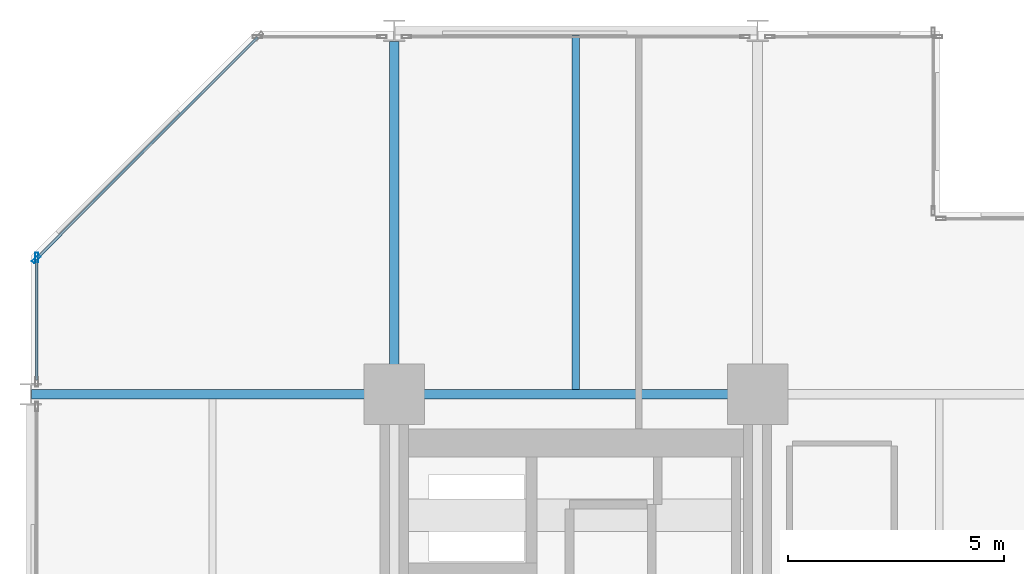
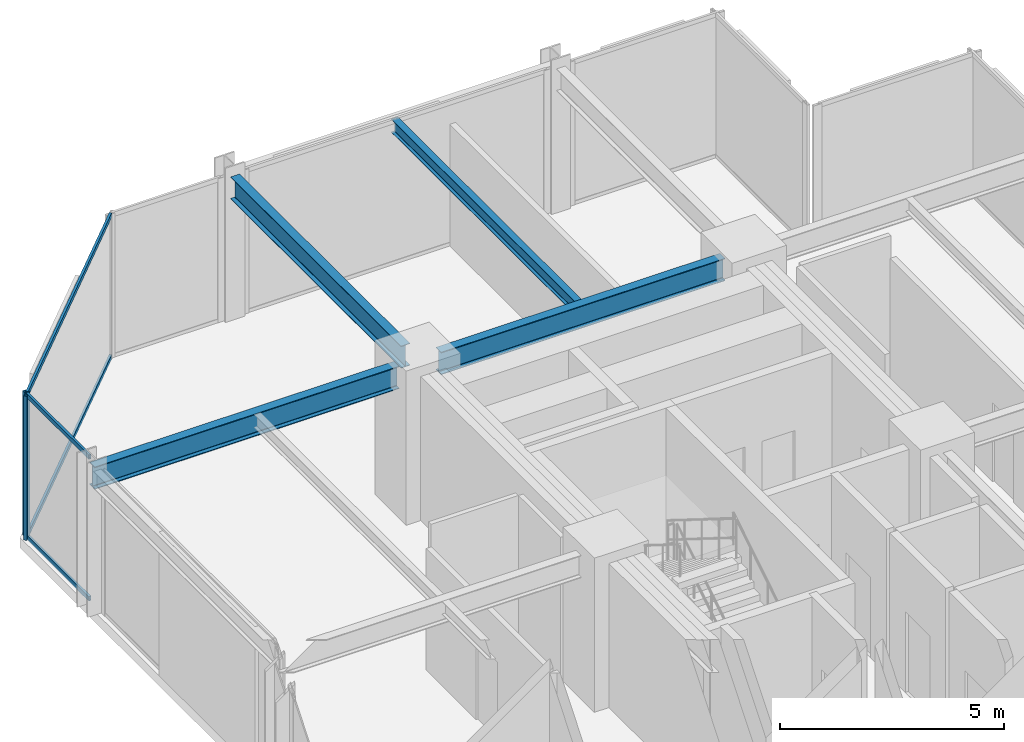
# One storey, part 15 of 25: 6 members, 4 beams, 2 elements without a shape of their own.
"""IFC4 building model written with IfcOpenShell, lengths in metres."""

from ifc_helpers import new_model, si_unit, direction, frame, origin, origin_2d, place, context, subcontext, project, spatial, hollow_rectangle, i_section, extrude, material, layer, layer_set, material_profile, profile_set, type_object, element, aggregate, save


model = new_model("IFC4")

# Units and contexts
model_context = context("Model", 3, precision=1e-05, world=origin(), true_north=direction((0.0, 1.0)))
body_context = subcontext(model_context, "Body", "Model", "MODEL_VIEW")
ifc_project = project(units=[si_unit("LENGTHUNIT", "METRE"), si_unit("AREAUNIT", "SQUARE_METRE"), si_unit("VOLUMEUNIT", "CUBIC_METRE"), si_unit("PLANEANGLEUNIT", "RADIAN"), si_unit("MASSUNIT", "GRAM", prefix="KILO")], contexts=[model_context])

# Site, building, storey
site_placement = place(None, origin())
site = spatial("IfcSite", under=ifc_project, at=site_placement, CompositionType="ELEMENT")
building_placement = place(site_placement, origin())
building = spatial("IfcBuilding", under=site, at=building_placement, Name="Nerrivon Quay Data Exchange", CompositionType="ELEMENT")
storey_placement = place(building_placement, frame((0.0, 0.0, 58.39990234375)))
storey = spatial("IfcBuildingStorey", under=building, at=storey_placement, Name="L13", CompositionType="ELEMENT", Elevation=58.39990234375)

# Beams
ifc_material_1 = material(Name="Steel Grade 350", Category="steel")
ifc_material_profile_1 = material_profile(ifc_material_1, i_section(OverallWidth=0.22900390625, OverallDepth=0.612060546875, WebThickness=0.011962890625, FlangeThickness=0.01953125, FilletRadius=0.013916015625, at=origin_2d()), Name="610UB125")
ifc_profile_set_1 = profile_set([ifc_material_profile_1], Name="Steel Grade 350")
beam_type_1 = type_object("IfcBeamType", Name="BM-G1-610UB125", PredefinedType="BEAM", material=ifc_profile_set_1)
beam_1_placement = place(storey_placement, frame((0.013916015625, 42.0, 3.619140625), z_axis=(1.0, 0.0, 0.0), x_axis=(0.0, 1.0, 0.0)))
element("IfcBeam", 1, at=beam_1_placement, inside=storey, type_object=beam_type_1, Name="L13 EW Girder Y=42.0 (0.0..8.4)", PredefinedType="BEAM", context=body_context, shape_type="SweptSolid", body=[
    extrude(i_section(OverallWidth=0.22900390625, OverallDepth=0.612060546875, WebThickness=0.011962890625, FlangeThickness=0.01953125, FilletRadius=0.013916015625, at=origin_2d()), origin(), (0.0, 0.0, 1.0), 7.84619140625),
])
beam_2_placement = place(storey_placement, frame((8.93994140625, 42.0, 3.619140625), z_axis=(1.0, 0.0, 0.0), x_axis=(0.0, 1.0, 0.0)))
element("IfcBeam", 2, at=beam_2_placement, inside=storey, type_object=beam_type_1, Name="L13 EW Girder Y=42.0 (8.4..16.8)", PredefinedType="BEAM", context=body_context, shape_type="SweptSolid", body=[
    extrude(i_section(OverallWidth=0.22900390625, OverallDepth=0.612060546875, WebThickness=0.011962890625, FlangeThickness=0.01953125, FilletRadius=0.013916015625, at=origin_2d()), origin(), (0.0, 0.0, 1.0), 7.320068359375),
])
ifc_material_profile_2 = material_profile(ifc_material_1, i_section(OverallWidth=0.22802734375, OverallDepth=0.60205078125, WebThickness=0.010498046875, FlangeThickness=0.014892578125, FilletRadius=0.013916015625, at=origin_2d()), Name="610UB101")
ifc_profile_set_2 = profile_set([ifc_material_profile_2], Name="Steel Grade 350")
beam_type_2 = type_object("IfcBeamType", Name="BM-G2-610UB101", PredefinedType="BEAM", material=ifc_profile_set_2)
beam_3_placement = place(storey_placement, frame((8.39990234375, 42.5400390625, 3.6240234375), z_axis=(0.0, 1.0, 0.0), x_axis=(-1.0, 0.0, 0.0)))
element("IfcBeam", 3, at=beam_3_placement, inside=storey, type_object=beam_type_2, Name="L13 NS Girder X=8.4 (42.0..50.4)", PredefinedType="BEAM", context=body_context, shape_type="SweptSolid", body=[
    extrude(i_section(OverallWidth=0.22802734375, OverallDepth=0.60205078125, WebThickness=0.010498046875, FlangeThickness=0.014892578125, FilletRadius=0.013916015625, at=origin_2d()), origin(), (0.0, 0.0, 1.0), 7.60986328125),
])
ifc_material_profile_3 = material_profile(ifc_material_1, i_section(OverallWidth=0.172119140625, OverallDepth=0.35888671875, WebThickness=0.008056640625, FlangeThickness=0.012939453125, FilletRadius=0.011474609375, at=origin_2d()), Name="360UB56.7")
ifc_profile_set_3 = profile_set([ifc_material_profile_3], Name="Steel Grade 350")
beam_type_3 = type_object("IfcBeamType", Name="BM-J3-360UB57", PredefinedType="JOIST", material=ifc_profile_set_3)
beam_4_placement = place(storey_placement, frame((12.60009765625, 42.114501953125, 3.74560546875), z_axis=(0.0, 1.0, 0.0), x_axis=(-1.0, 0.0, 0.0)))
element("IfcBeam", 4, at=beam_4_placement, inside=storey, type_object=beam_type_3, Name="L13 Secondary Joist X=12.6 (42.0..50.4)", PredefinedType="JOIST", context=body_context, shape_type="SweptSolid", body=[
    extrude(i_section(OverallWidth=0.172119140625, OverallDepth=0.35888671875, WebThickness=0.008056640625, FlangeThickness=0.012939453125, FilletRadius=0.011474609375, at=origin_2d()), origin(), (0.0, 0.0, 1.0), 8.1904296875),
])

# Curtain wall, member
ifc_material_2 = material(Name="Anodised aluminium 6063-T6", Category="aluminium")
ifc_layer = layer(ifc_material_2, 0.219970703125)
ifc_layer_set = layer_set([ifc_layer], Name="Anodised aluminium 6063-T6")
curtain_wall_type = type_object("IfcCurtainWallType", Name="CW-SYS-01", PredefinedType="NOTDEFINED", material=ifc_layer_set)
curtain_wall_1_placement = place(storey_placement, origin())
curtain_wall_1 = element("IfcCurtainWall", 5, at=curtain_wall_1_placement, inside=storey, type_object=curtain_wall_type, Name="L13 Unitised Curtain Wall 18", PredefinedType="NOTDEFINED")
ifc_material_profile_4 = material_profile(ifc_material_2, hollow_rectangle(XDim=0.074951171875, YDim=0.219970703125, WallThickness=0.00390625, at=origin_2d()), Name="ALU-MULL-220x75")
ifc_profile_set_4 = profile_set([ifc_material_profile_4], Name="Anodised aluminium 6063-T6")
member_type_1 = type_object("IfcMemberType", Name="CWM-220x75", PredefinedType="MULLION", material=ifc_profile_set_4)
member_1_placement = place(storey_placement, frame((0.139892578125, 45.16259765625, 0.0), z_axis=(0.0, 0.0, 1.0), x_axis=(-1.0, 0.0, 0.0)))
member_1 = element("IfcMember", 6, at=member_1_placement, type_object=member_type_1, Name="CW01 mullion 2", PredefinedType="MULLION", context=body_context, shape_type="SweptSolid", body=[
    extrude(hollow_rectangle(XDim=0.074951171875, YDim=0.219970703125, WallThickness=0.00390625, at=origin_2d()), origin(), (0.0, 0.0, 1.0), 3.925048828125),
])

curtain_wall_2_placement = place(storey_placement, origin())
curtain_wall_2 = element("IfcCurtainWall", 7, at=curtain_wall_2_placement, inside=storey, type_object=curtain_wall_type, Name="L13 Unitised Curtain Wall 19", PredefinedType="NOTDEFINED")
member_2_placement = place(storey_placement, frame((0.12548828125, 45.12744140625, 0.0), z_axis=(0.0, 0.0, 1.0), x_axis=(-0.707106781187, 0.707106781187, 0.0)))
member_2 = element("IfcMember", 8, at=member_2_placement, type_object=member_type_1, Name="CW01 mullion 1", PredefinedType="MULLION", context=body_context, shape_type="SweptSolid", body=[
    extrude(hollow_rectangle(XDim=0.074951171875, YDim=0.219970703125, WallThickness=0.00390625, at=origin_2d()), origin(), (0.0, 0.0, 1.0), 3.925048828125),
])

# Member
ifc_material_profile_5 = material_profile(ifc_material_2, hollow_rectangle(XDim=0.06005859375, YDim=0.1201171875, WallThickness=0.003173828125, at=origin_2d()), Name="ALU-TRAN-120x60")
ifc_profile_set_5 = profile_set([ifc_material_profile_5], Name="Anodised aluminium 6063-T6")
member_type_2 = type_object("IfcMemberType", Name="CWT-120x60", PredefinedType="USERDEFINED", material=ifc_profile_set_5)
member_3_placement = place(storey_placement, frame((0.139892578125, 42.324951171875, 0.03271484375), z_axis=(0.0, 1.0, 0.0), x_axis=(-1.0, 0.0, 0.0)))
member_3 = element("IfcMember", 9, at=member_3_placement, type_object=member_type_2, Name="CW01 transom 1.1", ObjectType="TRANSOM", PredefinedType="USERDEFINED", context=body_context, shape_type="SweptSolid", body=[
    extrude(hollow_rectangle(XDim=0.06005859375, YDim=0.1201171875, WallThickness=0.003173828125, at=origin_2d()), origin(), (0.0, 0.0, 1.0), 2.800048828125),
])

member_4_placement = place(storey_placement, frame((0.139892578125, 42.324951171875, 3.892578125), z_axis=(0.0, 1.0, 0.0), x_axis=(-1.0, 0.0, 0.0)))
member_4 = element("IfcMember", 10, at=member_4_placement, type_object=member_type_2, Name="CW01 transom 1.2", ObjectType="TRANSOM", PredefinedType="USERDEFINED", context=body_context, shape_type="SweptSolid", body=[
    extrude(hollow_rectangle(XDim=0.06005859375, YDim=0.1201171875, WallThickness=0.003173828125, at=origin_2d()), origin(), (0.0, 0.0, 1.0), 2.800048828125),
])

aggregate(curtain_wall_1, [member_1, member_3, member_4])

member_5_placement = place(storey_placement, frame((0.152099609375, 45.154052734375, 0.03271484375), z_axis=(0.707089835771, 0.707123726196, 0.0), x_axis=(-0.707123726196, 0.707089835771, 0.0)))
member_5 = element("IfcMember", 11, at=member_5_placement, type_object=member_type_2, Name="CW01 transom 1.1", ObjectType="TRANSOM", PredefinedType="USERDEFINED", context=body_context, shape_type="SweptSolid", body=[
    extrude(hollow_rectangle(XDim=0.06005859375, YDim=0.1201171875, WallThickness=0.003173828125, at=origin_2d()), origin(), (0.0, 0.0, 1.0), 7.203857421875),
])

member_6_placement = place(storey_placement, frame((0.152099609375, 45.154052734375, 3.892578125), z_axis=(0.707089835771, 0.707123726196, 0.0), x_axis=(-0.707123726196, 0.707089835771, 0.0)))
member_6 = element("IfcMember", 12, at=member_6_placement, type_object=member_type_2, Name="CW01 transom 1.2", ObjectType="TRANSOM", PredefinedType="USERDEFINED", context=body_context, shape_type="SweptSolid", body=[
    extrude(hollow_rectangle(XDim=0.06005859375, YDim=0.1201171875, WallThickness=0.003173828125, at=origin_2d()), origin(), (0.0, 0.0, 1.0), 7.203857421875),
])

aggregate(curtain_wall_2, [member_2, member_5, member_6])

save(model, "model.ifc")
